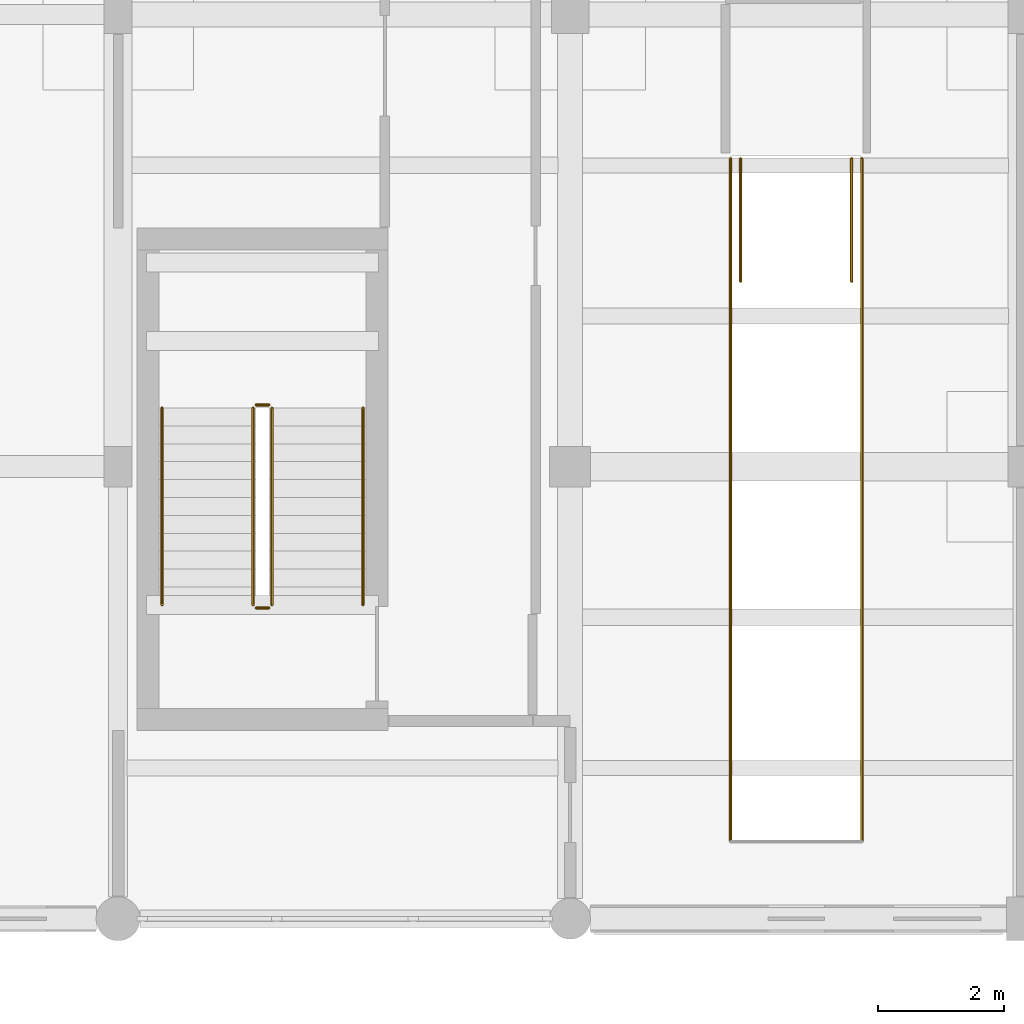
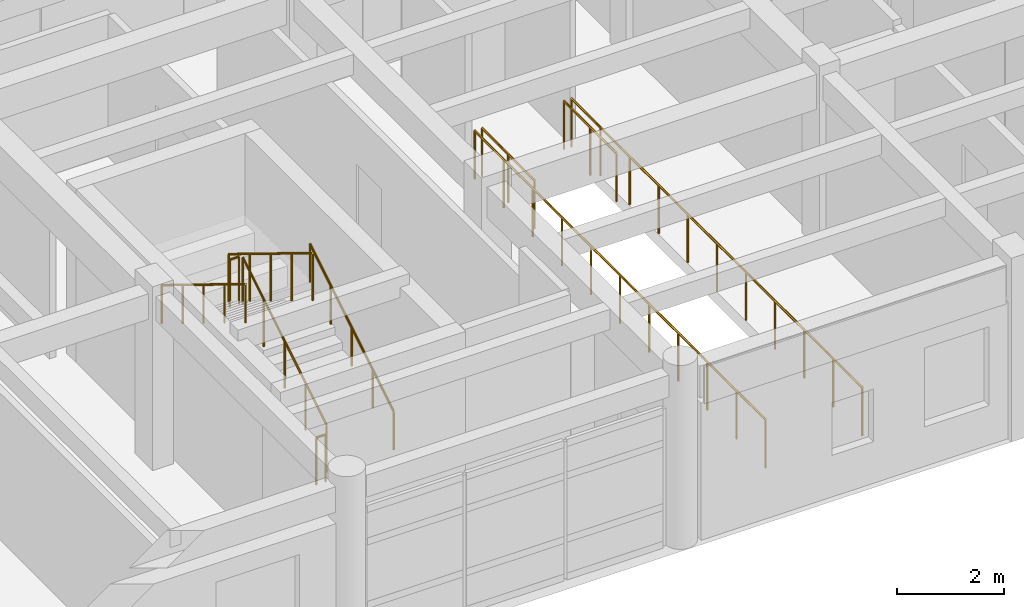
# One storey, part 100 of 110: 10 railings.
"""IFC4 building model written with IfcOpenShell, lengths in metres."""

import ifcopenshell
import ifcopenshell.guid

model = None  # the IFC model being written
_history = None  # IfcOwnerHistory: only IFC2X3 demands one
_inside = {}  # id of a spatial element -> (the spatial element, [elements in it])
_under = {}  # id of a project, library or spatial element -> (it, [spatial elements below it])
_declared = {}  # id of a project -> (the project, [libraries it declares])
_typed = {}  # id of a type object -> (the type object, [elements of that type])
_made_of = {}  # id of a material, layer set ... -> (it, [elements and type objects made of it])


def new_model(schema):
    """Start an empty IFC model of exactly this schema.

    Asked for "IFC4X3", IfcOpenShell would pick the latest addendum, in which some entities
    have other attributes; the version numbers below select the first issue.
    IFC2X3 requires an IfcOwnerHistory on every rooted entity: one is made here for all.
    """
    global model, _history
    if schema == "IFC4X3":
        model = ifcopenshell.file(schema_version=(4, 3, 0, 0))
    else:
        model = ifcopenshell.file(schema=schema)
    _inside.clear()
    _under.clear()
    _declared.clear()
    _typed.clear()
    _made_of.clear()
    _history = None
    if model.schema == "IFC2X3":
        org = make("IfcOrganization", Name="unknown")
        user = make(
            "IfcPersonAndOrganization",
            ThePerson=make("IfcPerson", FamilyName="unknown"),
            TheOrganization=org,
        )
        app = make(
            "IfcApplication",
            ApplicationDeveloper=org,
            Version="unknown",
            ApplicationFullName="unknown",
            ApplicationIdentifier="unknown",
        )
        _history = make(
            "IfcOwnerHistory",
            OwningUser=user,
            OwningApplication=app,
            ChangeAction="ADDED",
            CreationDate=0,
        )
    return model


def make(cls, **values):
    """One entity of the class cls with the attributes given. An attribute that is None is left unset."""
    return model.create_entity(
        cls, **{name: value for name, value in values.items() if value is not None}
    )


def rooted(cls, **values):
    """An entity with a GlobalId (a new one), such as an element, a storey or a relation."""
    return make(cls, GlobalId=ifcopenshell.guid.new(), OwnerHistory=_history, **values)


def si_unit(unit_type, name, prefix=None):
    """IfcSIUnit, for example si_unit("LENGTHUNIT", "METRE", prefix="MILLI")."""
    return make("IfcSIUnit", UnitType=unit_type, Prefix=prefix, Name=name)


def assignment(units):
    """IfcUnitAssignment: the units of a project."""
    return None if units is None else make("IfcUnitAssignment", Units=units)


def point(xyz):
    """IfcCartesianPoint."""
    return None if xyz is None else make("IfcCartesianPoint", Coordinates=xyz)


def direction(xyz):
    """IfcDirection."""
    return None if xyz is None else make("IfcDirection", DirectionRatios=xyz)


def frame(location, z_axis=None, x_axis=None):
    """IfcAxis2Placement3D, a coordinate frame: its origin and axes. An axis left out is left unset."""
    return make(
        "IfcAxis2Placement3D",
        Location=point(location),
        Axis=direction(z_axis),
        RefDirection=direction(x_axis),
    )


def frame_2d(location, x_axis=None):
    """IfcAxis2Placement2D, a coordinate frame in the plane: its origin and x axis."""
    return make(
        "IfcAxis2Placement2D", Location=point(location), RefDirection=direction(x_axis)
    )


def origin():
    """The frame at (0, 0, 0) with its axes left unset."""
    return frame((0.0, 0.0, 0.0))


def origin_2d():
    """The frame at (0, 0) in the plane with its x axis left unset."""
    return frame_2d((0.0, 0.0))


def place(relative_to, where):
    """IfcLocalPlacement: puts the frame where relative to a parent placement (None: the world)."""
    return make(
        "IfcLocalPlacement", PlacementRelTo=relative_to, RelativePlacement=where
    )


def context(
    kind, dimensions, precision=None, world=None, true_north=None, identifier=None
):
    """IfcGeometricRepresentationContext, for example the 3D "Model" context."""
    return make(
        "IfcGeometricRepresentationContext",
        ContextIdentifier=identifier,
        ContextType=kind,
        CoordinateSpaceDimension=dimensions,
        Precision=precision,
        WorldCoordinateSystem=world,
        TrueNorth=true_north,
    )


def subcontext(parent, identifier, kind, view, scale=None):
    """IfcGeometricRepresentationSubContext, for example "Body" below "Model"."""
    return make(
        "IfcGeometricRepresentationSubContext",
        ContextIdentifier=identifier,
        ContextType=kind,
        ParentContext=parent,
        TargetScale=scale,
        TargetView=view,
    )


def project(units=None, contexts=None):
    """IfcProject with its units and contexts."""
    return rooted(
        "IfcProject",
        Name="project",
        RepresentationContexts=contexts,
        UnitsInContext=assignment(units),
    )


def spatial(cls, under=None, at=None, **own):
    """A site, building, storey or space (cls), placed at a placement, below another one or the project."""
    s = rooted(cls, ObjectPlacement=at, **own)
    if under is not None:
        _under.setdefault(under.id(), (under, []))[1].append(s)
    return s


def profile(cls, at=None, kind="AREA", **sizes):
    """A parametric profile (cls). Its sizes go by their IFC names, for example OverallWidth=200.0."""
    return make(cls, ProfileType=kind, Position=at, **sizes)


def circle(**sizes):
    """IfcCircleProfileDef."""
    return profile("IfcCircleProfileDef", **sizes)


def extrude(swept, where, along, depth):
    """IfcExtrudedAreaSolid: the profile swept, set in the frame where, extruded along a direction by depth."""
    return make(
        "IfcExtrudedAreaSolid",
        SweptArea=swept,
        Position=where,
        ExtrudedDirection=direction(along),
        Depth=depth,
    )


def shape(context_of_items, identifier, shape_type, items):
    """IfcShapeRepresentation: the items that make up one representation, for example the "Body"."""
    return make(
        "IfcShapeRepresentation",
        ContextOfItems=context_of_items,
        RepresentationIdentifier=identifier,
        RepresentationType=shape_type,
        Items=items,
    )


def material(Name=None, Category=None):
    """IfcMaterial."""
    return make("IfcMaterial", Name=Name, Category=Category)


def made_of(thing, what):
    """Note that an element or type object is made of a material, layer set ...; save() writes the relation."""
    if what is not None:
        _made_of.setdefault(what.id(), (what, []))[1].append(thing)
    return thing


def type_object(cls, material=None, **own):
    """A type object (cls), such as IfcWallType, which elements share."""
    return made_of(rooted(cls, **own), material)


def element(
    cls,
    number,
    at=None,
    inside=None,
    cuts=None,
    type_object=None,
    material=None,
    context=None,
    identifier="Body",
    shape_type=None,
    held_by="IfcProductDefinitionShape",
    body=None,
    shapes=None,
    **own,
):
    """One element of the class cls, such as IfcWall. Its Tag is "e" and its number.

    at: its placement. inside: the storey or other place that contains it. cuts: it is an
    opening in that element (IfcRelVoidsElement). A single representation is given by context,
    identifier, shape_type and body (its items); several are given by shapes. held_by: the class
    of the entity that holds the representations. save() writes the other relations.
    """
    e = rooted(cls, Tag="e%d" % number, ObjectPlacement=at, **own)
    if body is not None:
        shapes = [shape(context, identifier, shape_type, body)]
    if shapes is not None:
        e.Representation = make(held_by, Representations=shapes)
    if inside is not None:
        _inside.setdefault(inside.id(), (inside, []))[1].append(e)
    if cuts is not None:
        rooted(
            "IfcRelVoidsElement", RelatingBuildingElement=cuts, RelatedOpeningElement=e
        )
    if type_object is not None:
        _typed.setdefault(type_object.id(), (type_object, []))[1].append(e)
    return made_of(e, material)


def aggregate(whole, parts):
    """IfcRelAggregates: a whole, such as a stair, and the parts it consists of."""
    return rooted("IfcRelAggregates", RelatingObject=whole, RelatedObjects=parts)


def save(model, path):
    """Write the relations noted so far, then the file.

    IfcRelAggregates (storeys below a building ...), IfcRelContainedInSpatialStructure (elements
    in a storey), IfcRelDefinesByType, IfcRelAssociatesMaterial and IfcRelDeclares: one each for
    every whole, place, type object, material and project.
    """
    for whole, parts in _under.values():
        aggregate(whole, parts)
    for where, things in _inside.values():
        rooted(
            "IfcRelContainedInSpatialStructure",
            RelatedElements=things,
            RelatingStructure=where,
        )
    for kind, things in _typed.values():
        rooted("IfcRelDefinesByType", RelatedObjects=things, RelatingType=kind)
    for what, things in _made_of.values():
        rooted("IfcRelAssociatesMaterial", RelatedObjects=things, RelatingMaterial=what)
    for by, libraries in _declared.values():
        rooted("IfcRelDeclares", RelatingContext=by, RelatedDefinitions=libraries)
    model.write(path)


model = new_model("IFC4")

# Units and contexts
model_context = context("Model", 3, precision=1e-05, world=origin(), true_north=direction((0.0, 1.0)))
body_context = subcontext(model_context, "Body", "Model", "MODEL_VIEW")
ifc_project = project(units=[si_unit("LENGTHUNIT", "METRE"), si_unit("AREAUNIT", "SQUARE_METRE"), si_unit("VOLUMEUNIT", "CUBIC_METRE"), si_unit("PLANEANGLEUNIT", "RADIAN"), si_unit("MASSUNIT", "GRAM", prefix="KILO")], contexts=[model_context])

# Site, building, storey
site_placement = place(None, origin())
site = spatial("IfcSite", under=ifc_project, at=site_placement, CompositionType="ELEMENT")
building_placement = place(site_placement, origin())
building = spatial("IfcBuilding", under=site, at=building_placement, Name="Steenspoor Specialist Clinic", CompositionType="ELEMENT")
storey_placement = place(building_placement, frame((0.0, 0.0, 4.800048828125)))
storey = spatial("IfcBuildingStorey", under=building, at=storey_placement, Name="L01", CompositionType="ELEMENT", Elevation=4.800048828125)

# Railings
ifc_material_1 = material(Name="Painted architectural steel balustrade", Category="steel")
railing_type_1 = type_object("IfcRailingType", Name="RAIL-GUARD-1100", PredefinedType="GUARDRAIL", material=ifc_material_1)
railing_1_placement = place(storey_placement, frame((25.25, 70.14990234375, 0.175048828125)))
element("IfcRailing", 1, at=railing_1_placement, inside=storey, type_object=railing_type_1, Name="L01 ST-V5B stair guard 1", PredefinedType="GUARDRAIL", context=body_context, shape_type="SweptSolid", body=[
    extrude(circle(Radius=0.02392578125, at=origin_2d()), frame((0.0, 0.0, 1.076171875), z_axis=(0.0, 0.852195625947, 0.523223293744), x_axis=(-1.0, 0.0, 0.0)), (0.0, 0.0, 1.0), 3.6787109375),
    extrude(circle(Radius=0.02099609375, at=origin_2d()), origin(), (0.0, 0.0, 1.0), 1.052001953125),
    extrude(circle(Radius=0.02099609375, at=origin_2d()), frame((0.0, 0.78369140625, 0.481201171875)), (0.0, 0.0, 1.0), 1.052001953125),
    extrude(circle(Radius=0.02099609375, at=origin_2d()), frame((0.0, 1.5673828125, 0.96240234375)), (0.0, 0.0, 1.0), 1.052001953125),
    extrude(circle(Radius=0.02099609375, at=origin_2d()), frame((0.0, 2.351318359375, 1.443603515625)), (0.0, 0.0, 1.0), 1.052001953125),
    extrude(circle(Radius=0.02099609375, at=origin_2d()), frame((0.0, 3.135009765625, 1.9248046875)), (0.0, 0.0, 1.0), 1.052001953125),
])
railing_2_placement = place(storey_placement, frame((25.199951171875, 73.3349609375, 2.099853515625)))
element("IfcRailing", 2, at=railing_2_placement, inside=storey, type_object=railing_type_1, Name="L01 ST-V5B stair guard 2", PredefinedType="GUARDRAIL", context=body_context, shape_type="SweptSolid", body=[
    extrude(circle(Radius=0.02392578125, at=origin_2d()), frame((0.0, 0.0, 1.076171875), z_axis=(-1.0, 0.0, 0.0), x_axis=(0.0, -1.0, 0.0)), (0.0, 0.0, 1.0), 0.199951171875),
    extrude(circle(Radius=0.02099609375, at=origin_2d()), origin(), (0.0, 0.0, 1.0), 1.052001953125),
    extrude(circle(Radius=0.02099609375, at=origin_2d()), frame((-0.199951171875, 0.0, 0.0)), (0.0, 0.0, 1.0), 1.052001953125),
])
railing_3_placement = place(storey_placement, frame((24.949951171875, 73.284912109375, 2.27490234375)))
element("IfcRailing", 3, at=railing_3_placement, inside=storey, type_object=railing_type_1, Name="L01 ST-V5B stair guard 3", PredefinedType="GUARDRAIL", context=body_context, shape_type="SweptSolid", body=[
    extrude(circle(Radius=0.02392578125, at=origin_2d()), frame((0.0, 0.0, 1.076171875), z_axis=(0.0, -0.852166034122, 0.523271488128), x_axis=(1.0, 0.0, 0.0)), (0.0, 0.0, 1.0), 3.678955078125),
    extrude(circle(Radius=0.02099609375, at=origin_2d()), origin(), (0.0, 0.0, 1.0), 1.052001953125),
    extrude(circle(Radius=0.02099609375, at=origin_2d()), frame((0.0, -0.78369140625, 0.481201171875)), (0.0, 0.0, 1.0), 1.052001953125),
    extrude(circle(Radius=0.02099609375, at=origin_2d()), frame((0.0, -1.5673828125, 0.96240234375)), (0.0, 0.0, 1.0), 1.052001953125),
    extrude(circle(Radius=0.02099609375, at=origin_2d()), frame((0.0, -2.351318359375, 1.44384765625)), (0.0, 0.0, 1.0), 1.052001953125),
    extrude(circle(Radius=0.02099609375, at=origin_2d()), frame((0.0, -3.135009765625, 1.925048828125)), (0.0, 0.0, 1.0), 1.052001953125),
])
railing_4_placement = place(storey_placement, frame((25.199951171875, 70.10009765625, 0.0)))
element("IfcRailing", 4, at=railing_4_placement, inside=storey, type_object=railing_type_1, Name="L01 ST-V5B stair guard 4", PredefinedType="GUARDRAIL", context=body_context, shape_type="SweptSolid", body=[
    extrude(circle(Radius=0.02392578125, at=origin_2d()), frame((0.0, 0.0, 1.076171875), z_axis=(-1.0, 0.0, 0.0), x_axis=(0.0, -1.0, 0.0)), (0.0, 0.0, 1.0), 0.199951171875),
    extrude(circle(Radius=0.02099609375, at=origin_2d()), origin(), (0.0, 0.0, 1.0), 1.052001953125),
    extrude(circle(Radius=0.02099609375, at=origin_2d()), frame((-0.199951171875, 0.0, 0.0)), (0.0, 0.0, 1.0), 1.052001953125),
])
railing_5_placement = place(storey_placement, frame((32.554931640625, 77.260009765625, 0.0)))
element("IfcRailing", 5, at=railing_5_placement, inside=storey, type_object=railing_type_1, Name="ST-F05 Well Guard W", PredefinedType="GUARDRAIL", context=body_context, shape_type="SweptSolid", body=[
    extrude(circle(Radius=0.02392578125, at=origin_2d()), frame((0.0, 0.0, 1.09619140625), z_axis=(0.0, -1.0, 0.0), x_axis=(1.0, 0.0, 0.0)), (0.0, 0.0, 1.0), 10.880126953125),
    extrude(circle(Radius=0.02099609375, at=origin_2d()), origin(), (0.0, 0.0, 1.0), 1.072021484375),
    extrude(circle(Radius=0.02099609375, at=origin_2d()), frame((0.0, -1.087890625, 0.0)), (0.0, 0.0, 1.0), 1.072021484375),
    extrude(circle(Radius=0.02099609375, at=origin_2d()), frame((0.0, -2.176025390625, 0.0)), (0.0, 0.0, 1.0), 1.072021484375),
    extrude(circle(Radius=0.02099609375, at=origin_2d()), frame((0.0, -3.26416015625, 0.0)), (0.0, 0.0, 1.0), 1.072021484375),
    extrude(circle(Radius=0.02099609375, at=origin_2d()), frame((0.0, -4.35205078125, 0.0)), (0.0, 0.0, 1.0), 1.072021484375),
    extrude(circle(Radius=0.02099609375, at=origin_2d()), frame((0.0, -5.43994140625, 0.0)), (0.0, 0.0, 1.0), 1.072021484375),
    extrude(circle(Radius=0.02099609375, at=origin_2d()), frame((0.0, -6.528076171875, 0.0)), (0.0, 0.0, 1.0), 1.072021484375),
    extrude(circle(Radius=0.02099609375, at=origin_2d()), frame((0.0, -7.615966796875, 0.0)), (0.0, 0.0, 1.0), 1.072021484375),
    extrude(circle(Radius=0.02099609375, at=origin_2d()), frame((0.0, -8.7041015625, 0.0)), (0.0, 0.0, 1.0), 1.072021484375),
    extrude(circle(Radius=0.02099609375, at=origin_2d()), frame((0.0, -9.7919921875, 0.0)), (0.0, 0.0, 1.0), 1.072021484375),
    extrude(circle(Radius=0.02099609375, at=origin_2d()), frame((0.0, -10.880126953125, 0.0)), (0.0, 0.0, 1.0), 1.072021484375),
])
railing_6_placement = place(storey_placement, frame((34.64501953125, 66.3798828125, 0.0)))
element("IfcRailing", 6, at=railing_6_placement, inside=storey, type_object=railing_type_1, Name="ST-F05 Well Guard E", PredefinedType="GUARDRAIL", context=body_context, shape_type="SweptSolid", body=[
    extrude(circle(Radius=0.02392578125, at=origin_2d()), frame((0.0, 0.0, 1.09619140625), z_axis=(0.0, 1.0, 0.0), x_axis=(-1.0, 0.0, 0.0)), (0.0, 0.0, 1.0), 10.880126953125),
    extrude(circle(Radius=0.02099609375, at=origin_2d()), origin(), (0.0, 0.0, 1.0), 1.072021484375),
    extrude(circle(Radius=0.02099609375, at=origin_2d()), frame((0.0, 1.087890625, 0.0)), (0.0, 0.0, 1.0), 1.072021484375),
    extrude(circle(Radius=0.02099609375, at=origin_2d()), frame((0.0, 2.176025390625, 0.0)), (0.0, 0.0, 1.0), 1.072021484375),
    extrude(circle(Radius=0.02099609375, at=origin_2d()), frame((0.0, 3.26416015625, 0.0)), (0.0, 0.0, 1.0), 1.072021484375),
    extrude(circle(Radius=0.02099609375, at=origin_2d()), frame((0.0, 4.35205078125, 0.0)), (0.0, 0.0, 1.0), 1.072021484375),
    extrude(circle(Radius=0.02099609375, at=origin_2d()), frame((0.0, 5.43994140625, 0.0)), (0.0, 0.0, 1.0), 1.072021484375),
    extrude(circle(Radius=0.02099609375, at=origin_2d()), frame((0.0, 6.528076171875, 0.0)), (0.0, 0.0, 1.0), 1.072021484375),
    extrude(circle(Radius=0.02099609375, at=origin_2d()), frame((0.0, 7.615966796875, 0.0)), (0.0, 0.0, 1.0), 1.072021484375),
    extrude(circle(Radius=0.02099609375, at=origin_2d()), frame((0.0, 8.7041015625, 0.0)), (0.0, 0.0, 1.0), 1.072021484375),
    extrude(circle(Radius=0.02099609375, at=origin_2d()), frame((0.0, 9.7919921875, 0.0)), (0.0, 0.0, 1.0), 1.072021484375),
    extrude(circle(Radius=0.02099609375, at=origin_2d()), frame((0.0, 10.880126953125, 0.0)), (0.0, 0.0, 1.0), 1.072021484375),
])
for number, where, name in (
    (7, (32.715087890625, 75.300048828125, 0.0), "ST-F05 Well Guard LW"),
    (8, (34.485107421875, 75.300048828125, 0.0), "ST-F05 Well Guard LE"),
):
    element("IfcRailing", number, at=place(storey_placement, frame(where)), inside=storey, type_object=railing_type_1, Name=name, PredefinedType="GUARDRAIL", context=body_context, shape_type="SweptSolid", body=[
        extrude(circle(Radius=0.02392578125, at=origin_2d()), frame((0.0, 0.0, 1.09619140625), z_axis=(0.0, 1.0, 0.0), x_axis=(-1.0, 0.0, 0.0)), (0.0, 0.0, 1.0), 1.9599609375),
        extrude(circle(Radius=0.02099609375, at=origin_2d()), origin(), (0.0, 0.0, 1.0), 1.072021484375),
        extrude(circle(Radius=0.02099609375, at=origin_2d()), frame((0.0, 0.97998046875, 0.0)), (0.0, 0.0, 1.0), 1.072021484375),
        extrude(circle(Radius=0.02099609375, at=origin_2d()), frame((0.0, 1.9599609375, 0.0)), (0.0, 0.0, 1.0), 1.072021484375),
    ])
ifc_material_2 = material(Name="Brushed stainless steel clinical handrail", Category="steel")
railing_type_2 = type_object("IfcRailingType", Name="RAIL-HAND-900", PredefinedType="HANDRAIL", material=ifc_material_2)
railing_7_placement = place(storey_placement, frame((26.699951171875, 70.14990234375, 0.175048828125)))
element("IfcRailing", 9, at=railing_7_placement, inside=storey, type_object=railing_type_2, Name="L01 ST-V5B stair handrail 1", PredefinedType="HANDRAIL", context=body_context, shape_type="SweptSolid", body=[
    extrude(circle(Radius=0.02392578125, at=origin_2d()), frame((0.0, 0.0, 0.8759765625), z_axis=(0.0, 0.852195625947, 0.523223293744), x_axis=(-1.0, 0.0, 0.0)), (0.0, 0.0, 1.0), 3.6787109375),
    extrude(circle(Radius=0.02099609375, at=origin_2d()), origin(), (0.0, 0.0, 1.0), 0.851806640625),
    extrude(circle(Radius=0.02099609375, at=origin_2d()), frame((0.0, 0.78369140625, 0.481201171875)), (0.0, 0.0, 1.0), 0.851806640625),
    extrude(circle(Radius=0.02099609375, at=origin_2d()), frame((0.0, 1.5673828125, 0.96240234375)), (0.0, 0.0, 1.0), 0.851806640625),
    extrude(circle(Radius=0.02099609375, at=origin_2d()), frame((0.0, 2.351318359375, 1.443603515625)), (0.0, 0.0, 1.0), 0.851806640625),
    extrude(circle(Radius=0.02099609375, at=origin_2d()), frame((0.0, 3.135009765625, 1.9248046875)), (0.0, 0.0, 1.0), 0.851806640625),
])
railing_8_placement = place(storey_placement, frame((23.5, 73.284912109375, 2.27490234375)))
element("IfcRailing", 10, at=railing_8_placement, inside=storey, type_object=railing_type_2, Name="L01 ST-V5B stair handrail 2", PredefinedType="HANDRAIL", context=body_context, shape_type="SweptSolid", body=[
    extrude(circle(Radius=0.02392578125, at=origin_2d()), frame((0.0, 0.0, 0.8759765625), z_axis=(0.0, -0.852166034122, 0.523271488128), x_axis=(1.0, 0.0, 0.0)), (0.0, 0.0, 1.0), 3.678955078125),
    extrude(circle(Radius=0.02099609375, at=origin_2d()), origin(), (0.0, 0.0, 1.0), 0.851806640625),
    extrude(circle(Radius=0.02099609375, at=origin_2d()), frame((0.0, -0.78369140625, 0.481201171875)), (0.0, 0.0, 1.0), 0.851806640625),
    extrude(circle(Radius=0.02099609375, at=origin_2d()), frame((0.0, -1.5673828125, 0.96240234375)), (0.0, 0.0, 1.0), 0.851806640625),
    extrude(circle(Radius=0.02099609375, at=origin_2d()), frame((0.0, -2.351318359375, 1.44384765625)), (0.0, 0.0, 1.0), 0.851806640625),
    extrude(circle(Radius=0.02099609375, at=origin_2d()), frame((0.0, -3.135009765625, 1.925048828125)), (0.0, 0.0, 1.0), 0.851806640625),
])

save(model, "model.ifc")
